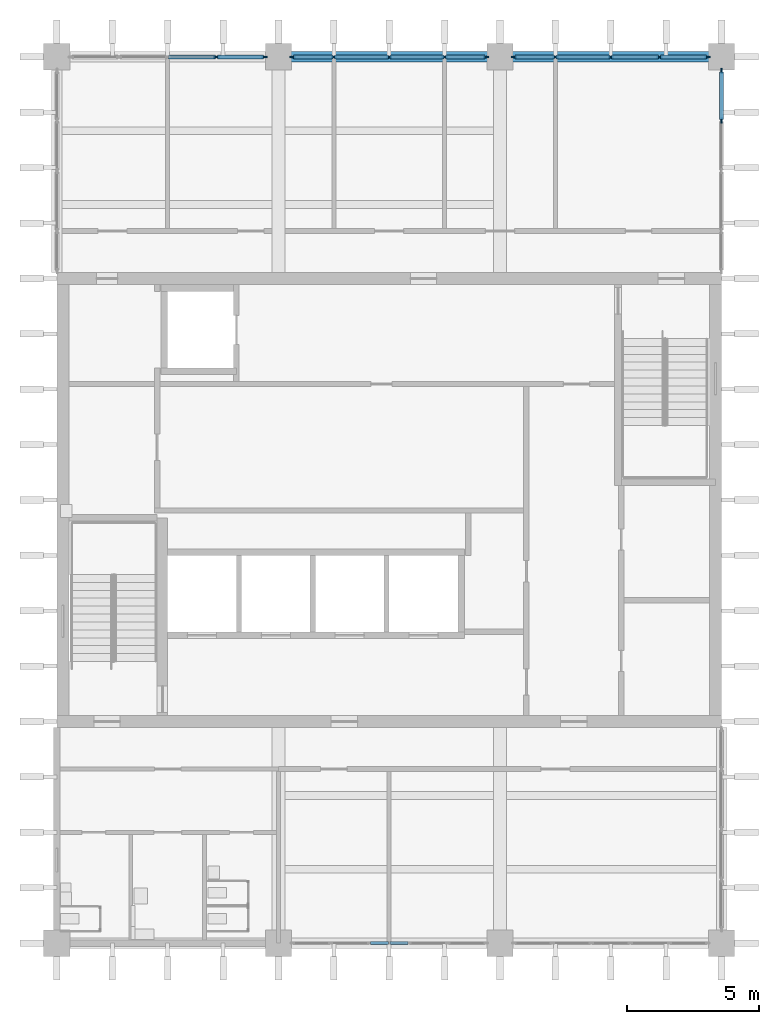
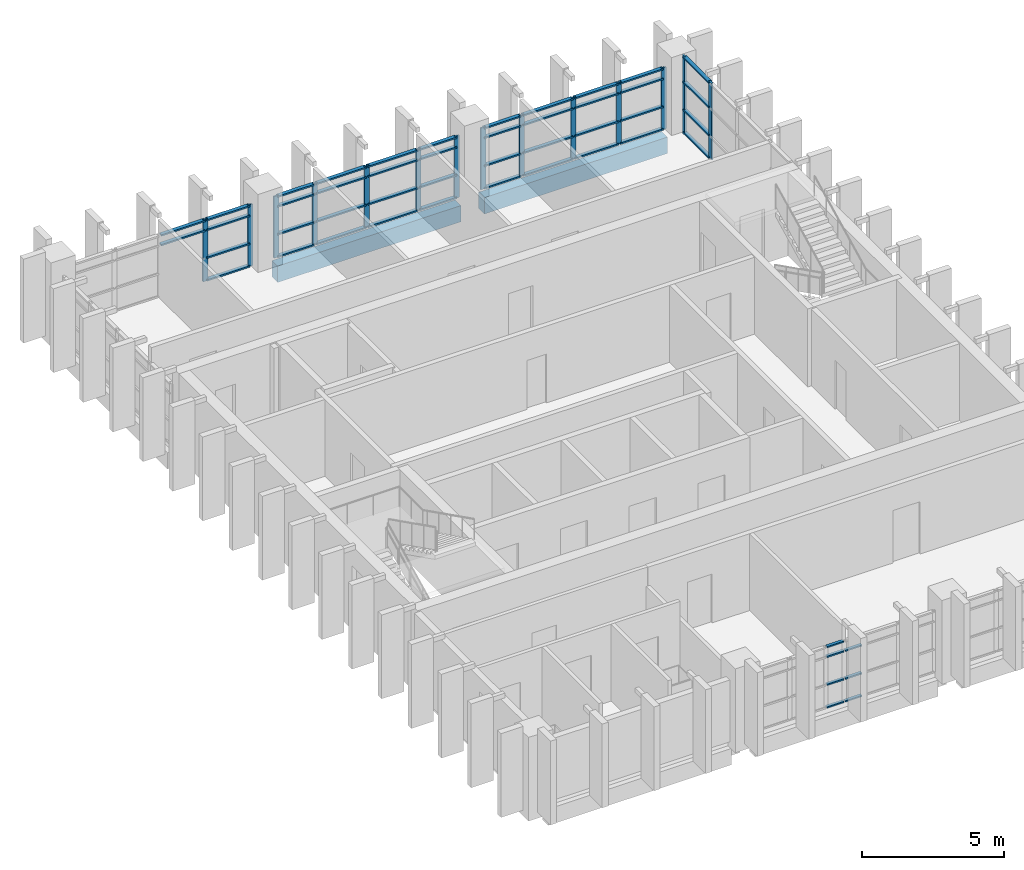
# One storey, part 4 of 11: 63 members, 2 beams, 5 elements without a shape of their own.
"""IFC4 building model written with IfcOpenShell, lengths in metres."""

from ifc_helpers import new_model, si_unit, direction, frame, origin, origin_2d, place, context, subcontext, project, spatial, rectangle, extrude, material, layer, layer_set, material_profile, profile_set, type_object, element, aggregate, save


model = new_model("IFC4")

# Units and contexts
model_context = context("Model", 3, precision=1e-05, world=origin(), true_north=direction((0.0, 1.0)))
body_context = subcontext(model_context, "Body", "Model", "MODEL_VIEW")
ifc_project = project(units=[si_unit("LENGTHUNIT", "METRE"), si_unit("AREAUNIT", "SQUARE_METRE"), si_unit("VOLUMEUNIT", "CUBIC_METRE"), si_unit("PLANEANGLEUNIT", "RADIAN"), si_unit("MASSUNIT", "GRAM", prefix="KILO")], contexts=[model_context])

# Site, building, storey
site_placement = place(None, origin())
site = spatial("IfcSite", under=ifc_project, at=site_placement, CompositionType="ELEMENT")
building_placement = place(site_placement, origin())
building = spatial("IfcBuilding", under=site, at=building_placement, Name="Rulbaag Community and Learning Centre", CompositionType="ELEMENT")
storey_placement = place(building_placement, frame((0.0, 0.0, 21.60009765625)))
storey = spatial("IfcBuildingStorey", under=building, at=storey_placement, Name="L05", CompositionType="ELEMENT", Elevation=21.60009765625)

# Beams
ifc_material_1 = material(Name="Concrete M40", Category="concrete")
ifc_material_profile_1 = material_profile(ifc_material_1, rectangle(XDim=0.39990234375, YDim=0.699951171875, at=origin_2d()), Name="RB400x700")
ifc_profile_set_1 = profile_set([ifc_material_profile_1], Name="Concrete M40")
beam_type = type_object("IfcBeamType", Name="B17 Tower edge beam, lower zone 400x700 Concrete M40", PredefinedType="BEAM", material=ifc_profile_set_1)
beam_1_placement = place(storey_placement, frame((151.679931640625, 117.60009765625, -0.60009765625), z_axis=(1.0, 0.0, 0.0), x_axis=(0.0, 1.0, 0.0)))
element("IfcBeam", 1, at=beam_1_placement, inside=storey, type_object=beam_type, Name="BM-L05-19O-20O", PredefinedType="BEAM", context=body_context, shape_type="SweptSolid", body=[
    extrude(rectangle(XDim=0.39990234375, YDim=0.699951171875, at=origin_2d()), origin(), (0.0, 0.0, 1.0), 7.440185546875),
])
beam_2_placement = place(storey_placement, frame((160.080078125, 117.60009765625, -0.60009765625), z_axis=(1.0, 0.0, 0.0), x_axis=(0.0, 1.0, 0.0)))
element("IfcBeam", 2, at=beam_2_placement, inside=storey, type_object=beam_type, Name="BM-L05-20O-21O", PredefinedType="BEAM", context=body_context, shape_type="SweptSolid", body=[
    extrude(rectangle(XDim=0.39990234375, YDim=0.699951171875, at=origin_2d()), origin(), (0.0, 0.0, 1.0), 7.43994140625),
])

# Curtain wall, members
ifc_material_2 = material(Name="Aluminium", Category="aluminium")
ifc_layer_1 = layer(ifc_material_2, 0.14990234375)
ifc_layer_set_1 = layer_set([ifc_layer_1], Name="CW-S")
curtain_wall_type_1 = type_object("IfcCurtainWallType", Name="CW-S", PredefinedType="USERDEFINED", material=ifc_layer_set_1)
curtain_wall_1_placement = place(storey_placement, origin())
curtain_wall_1 = element("IfcCurtainWall", 3, at=curtain_wall_1_placement, inside=storey, type_object=curtain_wall_type_1, Name="GS-L05-01", ObjectType="UNITISED CURTAIN WALL", PredefinedType="USERDEFINED")
ifc_material_3 = material(Name="Aluminium transom", Category="aluminium")
ifc_material_profile_2 = material_profile(ifc_material_3, rectangle(XDim=0.125, YDim=0.06005859375, at=origin_2d()), Name="AL 60x125 T")
ifc_profile_set_2 = profile_set([ifc_material_profile_2], Name="Aluminium transom")
member_type_1 = type_object("IfcMemberType", Name="CW-S-TRN", PredefinedType="USERDEFINED", material=ifc_profile_set_2)
member_1_placement = place(storey_placement, frame((154.68994140625, 84.0, 0.02978515625), z_axis=(1.0, 0.0, 0.0), x_axis=(0.0, 1.0, 0.0)))
member_1 = element("IfcMember", 4, at=member_1_placement, type_object=member_type_1, Name="GS transom 3.1", ObjectType="TRANSOM", PredefinedType="USERDEFINED", context=body_context, shape_type="SweptSolid", body=[
    extrude(rectangle(XDim=0.125, YDim=0.06005859375, at=origin_2d()), origin(), (0.0, 0.0, 1.0), 0.68017578125),
])
member_2_placement = place(storey_placement, frame((154.68994140625, 84.0, 1.0), z_axis=(1.0, 0.0, 0.0), x_axis=(0.0, 1.0, 0.0)))
member_2 = element("IfcMember", 5, at=member_2_placement, type_object=member_type_1, Name="GS transom 3.2", ObjectType="TRANSOM", PredefinedType="USERDEFINED", context=body_context, shape_type="SweptSolid", body=[
    extrude(rectangle(XDim=0.125, YDim=0.06005859375, at=origin_2d()), origin(), (0.0, 0.0, 1.0), 0.68017578125),
])
member_3_placement = place(storey_placement, frame((154.68994140625, 84.0, 2.199951171875), z_axis=(1.0, 0.0, 0.0), x_axis=(0.0, 1.0, 0.0)))
member_3 = element("IfcMember", 6, at=member_3_placement, type_object=member_type_1, Name="GS transom 3.3", ObjectType="TRANSOM", PredefinedType="USERDEFINED", context=body_context, shape_type="SweptSolid", body=[
    extrude(rectangle(XDim=0.125, YDim=0.06005859375, at=origin_2d()), origin(), (0.0, 0.0, 1.0), 0.68017578125),
])
member_4_placement = place(storey_placement, frame((154.68994140625, 84.0, 2.619873046875), z_axis=(1.0, 0.0, 0.0), x_axis=(0.0, 1.0, 0.0)))
member_4 = element("IfcMember", 7, at=member_4_placement, type_object=member_type_1, Name="GS transom 3.4", ObjectType="TRANSOM", PredefinedType="USERDEFINED", context=body_context, shape_type="SweptSolid", body=[
    extrude(rectangle(XDim=0.125, YDim=0.06005859375, at=origin_2d()), origin(), (0.0, 0.0, 1.0), 0.68017578125),
])
member_5_placement = place(storey_placement, frame((155.429931640625, 84.0, 0.02978515625), z_axis=(1.0, 0.0, 0.0), x_axis=(0.0, 1.0, 0.0)))
member_5 = element("IfcMember", 8, at=member_5_placement, type_object=member_type_1, Name="GS transom 4.1", ObjectType="TRANSOM", PredefinedType="USERDEFINED", context=body_context, shape_type="SweptSolid", body=[
    extrude(rectangle(XDim=0.125, YDim=0.06005859375, at=origin_2d()), origin(), (0.0, 0.0, 1.0), 0.68017578125),
])
member_6_placement = place(storey_placement, frame((155.429931640625, 84.0, 1.0), z_axis=(1.0, 0.0, 0.0), x_axis=(0.0, 1.0, 0.0)))
member_6 = element("IfcMember", 9, at=member_6_placement, type_object=member_type_1, Name="GS transom 4.2", ObjectType="TRANSOM", PredefinedType="USERDEFINED", context=body_context, shape_type="SweptSolid", body=[
    extrude(rectangle(XDim=0.125, YDim=0.06005859375, at=origin_2d()), origin(), (0.0, 0.0, 1.0), 0.68017578125),
])
member_7_placement = place(storey_placement, frame((155.429931640625, 84.0, 2.199951171875), z_axis=(1.0, 0.0, 0.0), x_axis=(0.0, 1.0, 0.0)))
member_7 = element("IfcMember", 10, at=member_7_placement, type_object=member_type_1, Name="GS transom 4.3", ObjectType="TRANSOM", PredefinedType="USERDEFINED", context=body_context, shape_type="SweptSolid", body=[
    extrude(rectangle(XDim=0.125, YDim=0.06005859375, at=origin_2d()), origin(), (0.0, 0.0, 1.0), 0.68017578125),
])
aggregate(curtain_wall_1, [member_1, member_2, member_3, member_4, member_5, member_6, member_7])

ifc_layer_2 = layer(ifc_material_2, 0.14990234375)
ifc_layer_set_2 = layer_set([ifc_layer_2], Name="CW-T")
curtain_wall_type_2 = type_object("IfcCurtainWallType", Name="CW-T", PredefinedType="USERDEFINED", material=ifc_layer_set_2)
curtain_wall_2_placement = place(storey_placement, origin())
curtain_wall_2 = element("IfcCurtainWall", 11, at=curtain_wall_2_placement, inside=storey, type_object=curtain_wall_type_2, Name="GT-L05-01", ObjectType="UNITISED CURTAIN WALL", PredefinedType="USERDEFINED")
ifc_material_4 = material(Name="Aluminium mullion", Category="aluminium")
ifc_material_profile_3 = material_profile(ifc_material_4, rectangle(XDim=0.06494140625, YDim=0.199951171875, at=origin_2d()), Name="AL 65x200")
ifc_profile_set_3 = profile_set([ifc_material_profile_3], Name="Aluminium mullion")
member_type_2 = type_object("IfcMemberType", Name="CW-T-MUL", PredefinedType="MULLION", material=ifc_profile_set_3)
member_8_placement = place(storey_placement, frame((148.85009765625, 117.60009765625, 0.0), z_axis=(0.0, 0.0, 1.0), x_axis=(0.0, 1.0, 0.0)))
member_8 = element("IfcMember", 12, at=member_8_placement, type_object=member_type_2, Name="GT mullion 4", PredefinedType="MULLION", context=body_context, shape_type="SweptSolid", body=[
    extrude(rectangle(XDim=0.06494140625, YDim=0.199951171875, at=origin_2d()), origin(), (0.0, 0.0, 1.0), 2.64990234375),
])
member_9_placement = place(storey_placement, frame((150.66748046875, 117.60009765625, 0.0), z_axis=(0.0, 0.0, 1.0), x_axis=(0.0, 1.0, 0.0)))
member_9 = element("IfcMember", 13, at=member_9_placement, type_object=member_type_2, Name="GT mullion 5", PredefinedType="MULLION", context=body_context, shape_type="SweptSolid", body=[
    extrude(rectangle(XDim=0.06494140625, YDim=0.199951171875, at=origin_2d()), origin(), (0.0, 0.0, 1.0), 2.64990234375),
])

curtain_wall_3_placement = place(storey_placement, origin())
curtain_wall_3 = element("IfcCurtainWall", 14, at=curtain_wall_3_placement, inside=storey, type_object=curtain_wall_type_2, Name="GT-L05-02", ObjectType="UNITISED CURTAIN WALL", PredefinedType="USERDEFINED")
member_10_placement = place(storey_placement, frame((151.732421875, 117.60009765625, 0.0), z_axis=(0.0, 0.0, 1.0), x_axis=(0.0, 1.0, 0.0)))
member_10 = element("IfcMember", 15, at=member_10_placement, type_object=member_type_2, Name="GT mullion 1", PredefinedType="MULLION", context=body_context, shape_type="SweptSolid", body=[
    extrude(rectangle(XDim=0.06494140625, YDim=0.199951171875, at=origin_2d()), origin(), (0.0, 0.0, 1.0), 2.64990234375),
])
member_11_placement = place(storey_placement, frame((153.300048828125, 117.60009765625, 0.0), z_axis=(0.0, 0.0, 1.0), x_axis=(0.0, 1.0, 0.0)))
member_11 = element("IfcMember", 16, at=member_11_placement, type_object=member_type_2, Name="GT mullion 2", PredefinedType="MULLION", context=body_context, shape_type="SweptSolid", body=[
    extrude(rectangle(XDim=0.06494140625, YDim=0.199951171875, at=origin_2d()), origin(), (0.0, 0.0, 1.0), 2.64990234375),
])
member_12_placement = place(storey_placement, frame((155.39990234375, 117.60009765625, 0.0), z_axis=(0.0, 0.0, 1.0), x_axis=(0.0, 1.0, 0.0)))
member_12 = element("IfcMember", 17, at=member_12_placement, type_object=member_type_2, Name="GT mullion 3", PredefinedType="MULLION", context=body_context, shape_type="SweptSolid", body=[
    extrude(rectangle(XDim=0.06494140625, YDim=0.199951171875, at=origin_2d()), origin(), (0.0, 0.0, 1.0), 2.64990234375),
])
member_13_placement = place(storey_placement, frame((157.5, 117.60009765625, 0.0), z_axis=(0.0, 0.0, 1.0), x_axis=(0.0, 1.0, 0.0)))
member_13 = element("IfcMember", 18, at=member_13_placement, type_object=member_type_2, Name="GT mullion 4", PredefinedType="MULLION", context=body_context, shape_type="SweptSolid", body=[
    extrude(rectangle(XDim=0.06494140625, YDim=0.199951171875, at=origin_2d()), origin(), (0.0, 0.0, 1.0), 2.64990234375),
])
member_14_placement = place(storey_placement, frame((159.0673828125, 117.60009765625, 0.0), z_axis=(0.0, 0.0, 1.0), x_axis=(0.0, 1.0, 0.0)))
member_14 = element("IfcMember", 19, at=member_14_placement, type_object=member_type_2, Name="GT mullion 5", PredefinedType="MULLION", context=body_context, shape_type="SweptSolid", body=[
    extrude(rectangle(XDim=0.06494140625, YDim=0.199951171875, at=origin_2d()), origin(), (0.0, 0.0, 1.0), 2.64990234375),
])

curtain_wall_4_placement = place(storey_placement, origin())
curtain_wall_4 = element("IfcCurtainWall", 20, at=curtain_wall_4_placement, inside=storey, type_object=curtain_wall_type_2, Name="GT-L05-03", ObjectType="UNITISED CURTAIN WALL", PredefinedType="USERDEFINED")
member_15_placement = place(storey_placement, frame((160.132568359375, 117.60009765625, 0.0), z_axis=(0.0, 0.0, 1.0), x_axis=(0.0, 1.0, 0.0)))
member_15 = element("IfcMember", 21, at=member_15_placement, type_object=member_type_2, Name="GT mullion 1", PredefinedType="MULLION", context=body_context, shape_type="SweptSolid", body=[
    extrude(rectangle(XDim=0.06494140625, YDim=0.199951171875, at=origin_2d()), origin(), (0.0, 0.0, 1.0), 2.64990234375),
])
member_16_placement = place(storey_placement, frame((161.699951171875, 117.60009765625, 0.0), z_axis=(0.0, 0.0, 1.0), x_axis=(0.0, 1.0, 0.0)))
member_16 = element("IfcMember", 22, at=member_16_placement, type_object=member_type_2, Name="GT mullion 2", PredefinedType="MULLION", context=body_context, shape_type="SweptSolid", body=[
    extrude(rectangle(XDim=0.06494140625, YDim=0.199951171875, at=origin_2d()), origin(), (0.0, 0.0, 1.0), 2.64990234375),
])
member_17_placement = place(storey_placement, frame((163.800048828125, 117.60009765625, 0.0), z_axis=(0.0, 0.0, 1.0), x_axis=(0.0, 1.0, 0.0)))
member_17 = element("IfcMember", 23, at=member_17_placement, type_object=member_type_2, Name="GT mullion 3", PredefinedType="MULLION", context=body_context, shape_type="SweptSolid", body=[
    extrude(rectangle(XDim=0.06494140625, YDim=0.199951171875, at=origin_2d()), origin(), (0.0, 0.0, 1.0), 2.64990234375),
])
member_18_placement = place(storey_placement, frame((165.64990234375, 117.60009765625, 0.0), z_axis=(0.0, 0.0, 1.0), x_axis=(0.0, 1.0, 0.0)))
member_18 = element("IfcMember", 24, at=member_18_placement, type_object=member_type_2, Name="GT mullion 4", PredefinedType="MULLION", context=body_context, shape_type="SweptSolid", body=[
    extrude(rectangle(XDim=0.06494140625, YDim=0.199951171875, at=origin_2d()), origin(), (0.0, 0.0, 1.0), 2.64990234375),
])
member_19_placement = place(storey_placement, frame((167.467529296875, 117.60009765625, 0.0), z_axis=(0.0, 0.0, 1.0), x_axis=(0.0, 1.0, 0.0)))
member_19 = element("IfcMember", 25, at=member_19_placement, type_object=member_type_2, Name="GT mullion 5", PredefinedType="MULLION", context=body_context, shape_type="SweptSolid", body=[
    extrude(rectangle(XDim=0.06494140625, YDim=0.199951171875, at=origin_2d()), origin(), (0.0, 0.0, 1.0), 2.64990234375),
])

curtain_wall_5_placement = place(storey_placement, origin())
curtain_wall_5 = element("IfcCurtainWall", 26, at=curtain_wall_5_placement, inside=storey, type_object=curtain_wall_type_2, Name="GT-L05-06", ObjectType="UNITISED CURTAIN WALL", PredefinedType="USERDEFINED")
member_20_placement = place(storey_placement, frame((168.0, 115.1875, 0.0), z_axis=(0.0, 0.0, 1.0), x_axis=(-1.0, 0.0, 0.0)))
member_20 = element("IfcMember", 27, at=member_20_placement, type_object=member_type_2, Name="GT mullion 4", PredefinedType="MULLION", context=body_context, shape_type="SweptSolid", body=[
    extrude(rectangle(XDim=0.06494140625, YDim=0.199951171875, at=origin_2d()), origin(), (0.0, 0.0, 1.0), 3.2998046875),
])
member_21_placement = place(storey_placement, frame((168.0, 117.0673828125, 0.0), z_axis=(0.0, 0.0, 1.0), x_axis=(-1.0, 0.0, 0.0)))
member_21 = element("IfcMember", 28, at=member_21_placement, type_object=member_type_2, Name="GT mullion 5", PredefinedType="MULLION", context=body_context, shape_type="SweptSolid", body=[
    extrude(rectangle(XDim=0.06494140625, YDim=0.199951171875, at=origin_2d()), origin(), (0.0, 0.0, 1.0), 3.2998046875),
])

# Member
ifc_material_profile_4 = material_profile(ifc_material_3, rectangle(XDim=0.14990234375, YDim=0.06494140625, at=origin_2d()), Name="AL 65x150 T")
ifc_profile_set_4 = profile_set([ifc_material_profile_4], Name="Aluminium transom")
member_type_3 = type_object("IfcMemberType", Name="CW-T-TRN", PredefinedType="USERDEFINED", material=ifc_profile_set_4)
member_22_placement = place(storey_placement, frame((147.032470703125, 117.60009765625, 2.199951171875), z_axis=(1.0, 0.0, 0.0), x_axis=(0.0, 1.0, 0.0)))
member_22 = element("IfcMember", 29, at=member_22_placement, type_object=member_type_3, Name="GT transom 3.3", ObjectType="TRANSOM", PredefinedType="USERDEFINED", context=body_context, shape_type="SweptSolid", body=[
    extrude(rectangle(XDim=0.14990234375, YDim=0.06494140625, at=origin_2d()), origin(), (0.0, 0.0, 1.0), 1.784912109375),
])

member_23_placement = place(storey_placement, frame((147.032470703125, 117.60009765625, 2.617431640625), z_axis=(1.0, 0.0, 0.0), x_axis=(0.0, 1.0, 0.0)))
member_23 = element("IfcMember", 30, at=member_23_placement, type_object=member_type_3, Name="GT transom 3.4", ObjectType="TRANSOM", PredefinedType="USERDEFINED", context=body_context, shape_type="SweptSolid", body=[
    extrude(rectangle(XDim=0.14990234375, YDim=0.06494140625, at=origin_2d()), origin(), (0.0, 0.0, 1.0), 1.784912109375),
])

member_24_placement = place(storey_placement, frame((148.882568359375, 117.60009765625, 0.032470703125), z_axis=(1.0, 0.0, 0.0), x_axis=(0.0, 1.0, 0.0)))
member_24 = element("IfcMember", 31, at=member_24_placement, type_object=member_type_3, Name="GT transom 4.1", ObjectType="TRANSOM", PredefinedType="USERDEFINED", context=body_context, shape_type="SweptSolid", body=[
    extrude(rectangle(XDim=0.14990234375, YDim=0.06494140625, at=origin_2d()), origin(), (0.0, 0.0, 1.0), 1.75244140625),
])

member_25_placement = place(storey_placement, frame((148.882568359375, 117.60009765625, 1.0), z_axis=(1.0, 0.0, 0.0), x_axis=(0.0, 1.0, 0.0)))
member_25 = element("IfcMember", 32, at=member_25_placement, type_object=member_type_3, Name="GT transom 4.2", ObjectType="TRANSOM", PredefinedType="USERDEFINED", context=body_context, shape_type="SweptSolid", body=[
    extrude(rectangle(XDim=0.14990234375, YDim=0.06494140625, at=origin_2d()), origin(), (0.0, 0.0, 1.0), 1.75244140625),
])

member_26_placement = place(storey_placement, frame((148.882568359375, 117.60009765625, 2.199951171875), z_axis=(1.0, 0.0, 0.0), x_axis=(0.0, 1.0, 0.0)))
member_26 = element("IfcMember", 33, at=member_26_placement, type_object=member_type_3, Name="GT transom 4.3", ObjectType="TRANSOM", PredefinedType="USERDEFINED", context=body_context, shape_type="SweptSolid", body=[
    extrude(rectangle(XDim=0.14990234375, YDim=0.06494140625, at=origin_2d()), origin(), (0.0, 0.0, 1.0), 1.75244140625),
])

member_27_placement = place(storey_placement, frame((148.882568359375, 117.60009765625, 2.617431640625), z_axis=(1.0, 0.0, 0.0), x_axis=(0.0, 1.0, 0.0)))
member_27 = element("IfcMember", 34, at=member_27_placement, type_object=member_type_3, Name="GT transom 4.4", ObjectType="TRANSOM", PredefinedType="USERDEFINED", context=body_context, shape_type="SweptSolid", body=[
    extrude(rectangle(XDim=0.14990234375, YDim=0.06494140625, at=origin_2d()), origin(), (0.0, 0.0, 1.0), 1.75244140625),
])

aggregate(curtain_wall_2, [member_8, member_9, member_22, member_23, member_24, member_25, member_26, member_27])

member_28_placement = place(storey_placement, frame((151.764892578125, 117.60009765625, 0.032470703125), z_axis=(1.0, 0.0, 0.0), x_axis=(0.0, 1.0, 0.0)))
member_28 = element("IfcMember", 35, at=member_28_placement, type_object=member_type_3, Name="GT transom 1.1", ObjectType="TRANSOM", PredefinedType="USERDEFINED", context=body_context, shape_type="SweptSolid", body=[
    extrude(rectangle(XDim=0.14990234375, YDim=0.06494140625, at=origin_2d()), origin(), (0.0, 0.0, 1.0), 1.502685546875),
])

member_29_placement = place(storey_placement, frame((151.764892578125, 117.60009765625, 1.0), z_axis=(1.0, 0.0, 0.0), x_axis=(0.0, 1.0, 0.0)))
member_29 = element("IfcMember", 36, at=member_29_placement, type_object=member_type_3, Name="GT transom 1.2", ObjectType="TRANSOM", PredefinedType="USERDEFINED", context=body_context, shape_type="SweptSolid", body=[
    extrude(rectangle(XDim=0.14990234375, YDim=0.06494140625, at=origin_2d()), origin(), (0.0, 0.0, 1.0), 1.502685546875),
])

member_30_placement = place(storey_placement, frame((151.764892578125, 117.60009765625, 2.199951171875), z_axis=(1.0, 0.0, 0.0), x_axis=(0.0, 1.0, 0.0)))
member_30 = element("IfcMember", 37, at=member_30_placement, type_object=member_type_3, Name="GT transom 1.3", ObjectType="TRANSOM", PredefinedType="USERDEFINED", context=body_context, shape_type="SweptSolid", body=[
    extrude(rectangle(XDim=0.14990234375, YDim=0.06494140625, at=origin_2d()), origin(), (0.0, 0.0, 1.0), 1.502685546875),
])

member_31_placement = place(storey_placement, frame((151.764892578125, 117.60009765625, 2.617431640625), z_axis=(1.0, 0.0, 0.0), x_axis=(0.0, 1.0, 0.0)))
member_31 = element("IfcMember", 38, at=member_31_placement, type_object=member_type_3, Name="GT transom 1.4", ObjectType="TRANSOM", PredefinedType="USERDEFINED", context=body_context, shape_type="SweptSolid", body=[
    extrude(rectangle(XDim=0.14990234375, YDim=0.06494140625, at=origin_2d()), origin(), (0.0, 0.0, 1.0), 1.502685546875),
])

member_32_placement = place(storey_placement, frame((153.33251953125, 117.60009765625, 0.032470703125), z_axis=(1.0, 0.0, 0.0), x_axis=(0.0, 1.0, 0.0)))
member_32 = element("IfcMember", 39, at=member_32_placement, type_object=member_type_3, Name="GT transom 2.1", ObjectType="TRANSOM", PredefinedType="USERDEFINED", context=body_context, shape_type="SweptSolid", body=[
    extrude(rectangle(XDim=0.14990234375, YDim=0.06494140625, at=origin_2d()), origin(), (0.0, 0.0, 1.0), 2.034912109375),
])

member_33_placement = place(storey_placement, frame((153.33251953125, 117.60009765625, 1.0), z_axis=(1.0, 0.0, 0.0), x_axis=(0.0, 1.0, 0.0)))
member_33 = element("IfcMember", 40, at=member_33_placement, type_object=member_type_3, Name="GT transom 2.2", ObjectType="TRANSOM", PredefinedType="USERDEFINED", context=body_context, shape_type="SweptSolid", body=[
    extrude(rectangle(XDim=0.14990234375, YDim=0.06494140625, at=origin_2d()), origin(), (0.0, 0.0, 1.0), 2.034912109375),
])

member_34_placement = place(storey_placement, frame((153.33251953125, 117.60009765625, 2.199951171875), z_axis=(1.0, 0.0, 0.0), x_axis=(0.0, 1.0, 0.0)))
member_34 = element("IfcMember", 41, at=member_34_placement, type_object=member_type_3, Name="GT transom 2.3", ObjectType="TRANSOM", PredefinedType="USERDEFINED", context=body_context, shape_type="SweptSolid", body=[
    extrude(rectangle(XDim=0.14990234375, YDim=0.06494140625, at=origin_2d()), origin(), (0.0, 0.0, 1.0), 2.034912109375),
])

member_35_placement = place(storey_placement, frame((153.33251953125, 117.60009765625, 2.617431640625), z_axis=(1.0, 0.0, 0.0), x_axis=(0.0, 1.0, 0.0)))
member_35 = element("IfcMember", 42, at=member_35_placement, type_object=member_type_3, Name="GT transom 2.4", ObjectType="TRANSOM", PredefinedType="USERDEFINED", context=body_context, shape_type="SweptSolid", body=[
    extrude(rectangle(XDim=0.14990234375, YDim=0.06494140625, at=origin_2d()), origin(), (0.0, 0.0, 1.0), 2.034912109375),
])

member_36_placement = place(storey_placement, frame((155.4326171875, 117.60009765625, 0.032470703125), z_axis=(1.0, 0.0, 0.0), x_axis=(0.0, 1.0, 0.0)))
member_36 = element("IfcMember", 43, at=member_36_placement, type_object=member_type_3, Name="GT transom 3.1", ObjectType="TRANSOM", PredefinedType="USERDEFINED", context=body_context, shape_type="SweptSolid", body=[
    extrude(rectangle(XDim=0.14990234375, YDim=0.06494140625, at=origin_2d()), origin(), (0.0, 0.0, 1.0), 2.034912109375),
])

member_37_placement = place(storey_placement, frame((155.4326171875, 117.60009765625, 1.0), z_axis=(1.0, 0.0, 0.0), x_axis=(0.0, 1.0, 0.0)))
member_37 = element("IfcMember", 44, at=member_37_placement, type_object=member_type_3, Name="GT transom 3.2", ObjectType="TRANSOM", PredefinedType="USERDEFINED", context=body_context, shape_type="SweptSolid", body=[
    extrude(rectangle(XDim=0.14990234375, YDim=0.06494140625, at=origin_2d()), origin(), (0.0, 0.0, 1.0), 2.034912109375),
])

member_38_placement = place(storey_placement, frame((155.4326171875, 117.60009765625, 2.199951171875), z_axis=(1.0, 0.0, 0.0), x_axis=(0.0, 1.0, 0.0)))
member_38 = element("IfcMember", 45, at=member_38_placement, type_object=member_type_3, Name="GT transom 3.3", ObjectType="TRANSOM", PredefinedType="USERDEFINED", context=body_context, shape_type="SweptSolid", body=[
    extrude(rectangle(XDim=0.14990234375, YDim=0.06494140625, at=origin_2d()), origin(), (0.0, 0.0, 1.0), 2.034912109375),
])

member_39_placement = place(storey_placement, frame((155.4326171875, 117.60009765625, 2.617431640625), z_axis=(1.0, 0.0, 0.0), x_axis=(0.0, 1.0, 0.0)))
member_39 = element("IfcMember", 46, at=member_39_placement, type_object=member_type_3, Name="GT transom 3.4", ObjectType="TRANSOM", PredefinedType="USERDEFINED", context=body_context, shape_type="SweptSolid", body=[
    extrude(rectangle(XDim=0.14990234375, YDim=0.06494140625, at=origin_2d()), origin(), (0.0, 0.0, 1.0), 2.034912109375),
])

member_40_placement = place(storey_placement, frame((157.532470703125, 117.60009765625, 0.032470703125), z_axis=(1.0, 0.0, 0.0), x_axis=(0.0, 1.0, 0.0)))
member_40 = element("IfcMember", 47, at=member_40_placement, type_object=member_type_3, Name="GT transom 4.1", ObjectType="TRANSOM", PredefinedType="USERDEFINED", context=body_context, shape_type="SweptSolid", body=[
    extrude(rectangle(XDim=0.14990234375, YDim=0.06494140625, at=origin_2d()), origin(), (0.0, 0.0, 1.0), 1.50244140625),
])

member_41_placement = place(storey_placement, frame((157.532470703125, 117.60009765625, 1.0), z_axis=(1.0, 0.0, 0.0), x_axis=(0.0, 1.0, 0.0)))
member_41 = element("IfcMember", 48, at=member_41_placement, type_object=member_type_3, Name="GT transom 4.2", ObjectType="TRANSOM", PredefinedType="USERDEFINED", context=body_context, shape_type="SweptSolid", body=[
    extrude(rectangle(XDim=0.14990234375, YDim=0.06494140625, at=origin_2d()), origin(), (0.0, 0.0, 1.0), 1.50244140625),
])

member_42_placement = place(storey_placement, frame((157.532470703125, 117.60009765625, 2.199951171875), z_axis=(1.0, 0.0, 0.0), x_axis=(0.0, 1.0, 0.0)))
member_42 = element("IfcMember", 49, at=member_42_placement, type_object=member_type_3, Name="GT transom 4.3", ObjectType="TRANSOM", PredefinedType="USERDEFINED", context=body_context, shape_type="SweptSolid", body=[
    extrude(rectangle(XDim=0.14990234375, YDim=0.06494140625, at=origin_2d()), origin(), (0.0, 0.0, 1.0), 1.50244140625),
])

member_43_placement = place(storey_placement, frame((157.532470703125, 117.60009765625, 2.617431640625), z_axis=(1.0, 0.0, 0.0), x_axis=(0.0, 1.0, 0.0)))
member_43 = element("IfcMember", 50, at=member_43_placement, type_object=member_type_3, Name="GT transom 4.4", ObjectType="TRANSOM", PredefinedType="USERDEFINED", context=body_context, shape_type="SweptSolid", body=[
    extrude(rectangle(XDim=0.14990234375, YDim=0.06494140625, at=origin_2d()), origin(), (0.0, 0.0, 1.0), 1.50244140625),
])

aggregate(curtain_wall_3, [member_10, member_11, member_12, member_13, member_14, member_28, member_29, member_30, member_31, member_32, member_33, member_34, member_35, member_36, member_37, member_38, member_39, member_40, member_41, member_42, member_43])

member_44_placement = place(storey_placement, frame((160.1650390625, 117.60009765625, 0.032470703125), z_axis=(1.0, 0.0, 0.0), x_axis=(0.0, 1.0, 0.0)))
member_44 = element("IfcMember", 51, at=member_44_placement, type_object=member_type_3, Name="GT transom 1.1", ObjectType="TRANSOM", PredefinedType="USERDEFINED", context=body_context, shape_type="SweptSolid", body=[
    extrude(rectangle(XDim=0.14990234375, YDim=0.06494140625, at=origin_2d()), origin(), (0.0, 0.0, 1.0), 1.50244140625),
])

member_45_placement = place(storey_placement, frame((160.1650390625, 117.60009765625, 1.0), z_axis=(1.0, 0.0, 0.0), x_axis=(0.0, 1.0, 0.0)))
member_45 = element("IfcMember", 52, at=member_45_placement, type_object=member_type_3, Name="GT transom 1.2", ObjectType="TRANSOM", PredefinedType="USERDEFINED", context=body_context, shape_type="SweptSolid", body=[
    extrude(rectangle(XDim=0.14990234375, YDim=0.06494140625, at=origin_2d()), origin(), (0.0, 0.0, 1.0), 1.50244140625),
])

member_46_placement = place(storey_placement, frame((160.1650390625, 117.60009765625, 2.199951171875), z_axis=(1.0, 0.0, 0.0), x_axis=(0.0, 1.0, 0.0)))
member_46 = element("IfcMember", 53, at=member_46_placement, type_object=member_type_3, Name="GT transom 1.3", ObjectType="TRANSOM", PredefinedType="USERDEFINED", context=body_context, shape_type="SweptSolid", body=[
    extrude(rectangle(XDim=0.14990234375, YDim=0.06494140625, at=origin_2d()), origin(), (0.0, 0.0, 1.0), 1.50244140625),
])

member_47_placement = place(storey_placement, frame((160.1650390625, 117.60009765625, 2.617431640625), z_axis=(1.0, 0.0, 0.0), x_axis=(0.0, 1.0, 0.0)))
member_47 = element("IfcMember", 54, at=member_47_placement, type_object=member_type_3, Name="GT transom 1.4", ObjectType="TRANSOM", PredefinedType="USERDEFINED", context=body_context, shape_type="SweptSolid", body=[
    extrude(rectangle(XDim=0.14990234375, YDim=0.06494140625, at=origin_2d()), origin(), (0.0, 0.0, 1.0), 1.50244140625),
])

member_48_placement = place(storey_placement, frame((161.732421875, 117.60009765625, 0.032470703125), z_axis=(1.0, 0.0, 0.0), x_axis=(0.0, 1.0, 0.0)))
member_48 = element("IfcMember", 55, at=member_48_placement, type_object=member_type_3, Name="GT transom 2.1", ObjectType="TRANSOM", PredefinedType="USERDEFINED", context=body_context, shape_type="SweptSolid", body=[
    extrude(rectangle(XDim=0.14990234375, YDim=0.06494140625, at=origin_2d()), origin(), (0.0, 0.0, 1.0), 2.03515625),
])

member_49_placement = place(storey_placement, frame((161.732421875, 117.60009765625, 1.0), z_axis=(1.0, 0.0, 0.0), x_axis=(0.0, 1.0, 0.0)))
member_49 = element("IfcMember", 56, at=member_49_placement, type_object=member_type_3, Name="GT transom 2.2", ObjectType="TRANSOM", PredefinedType="USERDEFINED", context=body_context, shape_type="SweptSolid", body=[
    extrude(rectangle(XDim=0.14990234375, YDim=0.06494140625, at=origin_2d()), origin(), (0.0, 0.0, 1.0), 2.03515625),
])

member_50_placement = place(storey_placement, frame((161.732421875, 117.60009765625, 2.199951171875), z_axis=(1.0, 0.0, 0.0), x_axis=(0.0, 1.0, 0.0)))
member_50 = element("IfcMember", 57, at=member_50_placement, type_object=member_type_3, Name="GT transom 2.3", ObjectType="TRANSOM", PredefinedType="USERDEFINED", context=body_context, shape_type="SweptSolid", body=[
    extrude(rectangle(XDim=0.14990234375, YDim=0.06494140625, at=origin_2d()), origin(), (0.0, 0.0, 1.0), 2.03515625),
])

member_51_placement = place(storey_placement, frame((161.732421875, 117.60009765625, 2.617431640625), z_axis=(1.0, 0.0, 0.0), x_axis=(0.0, 1.0, 0.0)))
member_51 = element("IfcMember", 58, at=member_51_placement, type_object=member_type_3, Name="GT transom 2.4", ObjectType="TRANSOM", PredefinedType="USERDEFINED", context=body_context, shape_type="SweptSolid", body=[
    extrude(rectangle(XDim=0.14990234375, YDim=0.06494140625, at=origin_2d()), origin(), (0.0, 0.0, 1.0), 2.03515625),
])

member_52_placement = place(storey_placement, frame((163.83251953125, 117.60009765625, 0.032470703125), z_axis=(1.0, 0.0, 0.0), x_axis=(0.0, 1.0, 0.0)))
member_52 = element("IfcMember", 59, at=member_52_placement, type_object=member_type_3, Name="GT transom 3.1", ObjectType="TRANSOM", PredefinedType="USERDEFINED", context=body_context, shape_type="SweptSolid", body=[
    extrude(rectangle(XDim=0.14990234375, YDim=0.06494140625, at=origin_2d()), origin(), (0.0, 0.0, 1.0), 1.784912109375),
])

member_53_placement = place(storey_placement, frame((163.83251953125, 117.60009765625, 1.0), z_axis=(1.0, 0.0, 0.0), x_axis=(0.0, 1.0, 0.0)))
member_53 = element("IfcMember", 60, at=member_53_placement, type_object=member_type_3, Name="GT transom 3.2", ObjectType="TRANSOM", PredefinedType="USERDEFINED", context=body_context, shape_type="SweptSolid", body=[
    extrude(rectangle(XDim=0.14990234375, YDim=0.06494140625, at=origin_2d()), origin(), (0.0, 0.0, 1.0), 1.784912109375),
])

member_54_placement = place(storey_placement, frame((163.83251953125, 117.60009765625, 2.199951171875), z_axis=(1.0, 0.0, 0.0), x_axis=(0.0, 1.0, 0.0)))
member_54 = element("IfcMember", 61, at=member_54_placement, type_object=member_type_3, Name="GT transom 3.3", ObjectType="TRANSOM", PredefinedType="USERDEFINED", context=body_context, shape_type="SweptSolid", body=[
    extrude(rectangle(XDim=0.14990234375, YDim=0.06494140625, at=origin_2d()), origin(), (0.0, 0.0, 1.0), 1.784912109375),
])

member_55_placement = place(storey_placement, frame((163.83251953125, 117.60009765625, 2.617431640625), z_axis=(1.0, 0.0, 0.0), x_axis=(0.0, 1.0, 0.0)))
member_55 = element("IfcMember", 62, at=member_55_placement, type_object=member_type_3, Name="GT transom 3.4", ObjectType="TRANSOM", PredefinedType="USERDEFINED", context=body_context, shape_type="SweptSolid", body=[
    extrude(rectangle(XDim=0.14990234375, YDim=0.06494140625, at=origin_2d()), origin(), (0.0, 0.0, 1.0), 1.784912109375),
])

member_56_placement = place(storey_placement, frame((165.6826171875, 117.60009765625, 0.032470703125), z_axis=(1.0, 0.0, 0.0), x_axis=(0.0, 1.0, 0.0)))
member_56 = element("IfcMember", 63, at=member_56_placement, type_object=member_type_3, Name="GT transom 4.1", ObjectType="TRANSOM", PredefinedType="USERDEFINED", context=body_context, shape_type="SweptSolid", body=[
    extrude(rectangle(XDim=0.14990234375, YDim=0.06494140625, at=origin_2d()), origin(), (0.0, 0.0, 1.0), 1.75244140625),
])

member_57_placement = place(storey_placement, frame((165.6826171875, 117.60009765625, 1.0), z_axis=(1.0, 0.0, 0.0), x_axis=(0.0, 1.0, 0.0)))
member_57 = element("IfcMember", 64, at=member_57_placement, type_object=member_type_3, Name="GT transom 4.2", ObjectType="TRANSOM", PredefinedType="USERDEFINED", context=body_context, shape_type="SweptSolid", body=[
    extrude(rectangle(XDim=0.14990234375, YDim=0.06494140625, at=origin_2d()), origin(), (0.0, 0.0, 1.0), 1.75244140625),
])

member_58_placement = place(storey_placement, frame((165.6826171875, 117.60009765625, 2.199951171875), z_axis=(1.0, 0.0, 0.0), x_axis=(0.0, 1.0, 0.0)))
member_58 = element("IfcMember", 65, at=member_58_placement, type_object=member_type_3, Name="GT transom 4.3", ObjectType="TRANSOM", PredefinedType="USERDEFINED", context=body_context, shape_type="SweptSolid", body=[
    extrude(rectangle(XDim=0.14990234375, YDim=0.06494140625, at=origin_2d()), origin(), (0.0, 0.0, 1.0), 1.75244140625),
])

member_59_placement = place(storey_placement, frame((165.6826171875, 117.60009765625, 2.617431640625), z_axis=(1.0, 0.0, 0.0), x_axis=(0.0, 1.0, 0.0)))
member_59 = element("IfcMember", 66, at=member_59_placement, type_object=member_type_3, Name="GT transom 4.4", ObjectType="TRANSOM", PredefinedType="USERDEFINED", context=body_context, shape_type="SweptSolid", body=[
    extrude(rectangle(XDim=0.14990234375, YDim=0.06494140625, at=origin_2d()), origin(), (0.0, 0.0, 1.0), 1.75244140625),
])

aggregate(curtain_wall_4, [member_15, member_16, member_17, member_18, member_19, member_44, member_45, member_46, member_47, member_48, member_49, member_50, member_51, member_52, member_53, member_54, member_55, member_56, member_57, member_58, member_59])

member_60_placement = place(storey_placement, frame((168.0, 115.219970703125, 0.032470703125), z_axis=(0.0, 1.0, 0.0), x_axis=(-1.0, 0.0, 0.0)))
member_60 = element("IfcMember", 67, at=member_60_placement, type_object=member_type_3, Name="GT transom 4.1", ObjectType="TRANSOM", PredefinedType="USERDEFINED", context=body_context, shape_type="SweptSolid", body=[
    extrude(rectangle(XDim=0.14990234375, YDim=0.06494140625, at=origin_2d()), origin(), (0.0, 0.0, 1.0), 1.81494140625),
])

member_61_placement = place(storey_placement, frame((168.0, 115.219970703125, 1.0), z_axis=(0.0, 1.0, 0.0), x_axis=(-1.0, 0.0, 0.0)))
member_61 = element("IfcMember", 68, at=member_61_placement, type_object=member_type_3, Name="GT transom 4.2", ObjectType="TRANSOM", PredefinedType="USERDEFINED", context=body_context, shape_type="SweptSolid", body=[
    extrude(rectangle(XDim=0.14990234375, YDim=0.06494140625, at=origin_2d()), origin(), (0.0, 0.0, 1.0), 1.81494140625),
])

member_62_placement = place(storey_placement, frame((168.0, 115.219970703125, 2.199951171875), z_axis=(0.0, 1.0, 0.0), x_axis=(-1.0, 0.0, 0.0)))
member_62 = element("IfcMember", 69, at=member_62_placement, type_object=member_type_3, Name="GT transom 4.3", ObjectType="TRANSOM", PredefinedType="USERDEFINED", context=body_context, shape_type="SweptSolid", body=[
    extrude(rectangle(XDim=0.14990234375, YDim=0.06494140625, at=origin_2d()), origin(), (0.0, 0.0, 1.0), 1.81494140625),
])

member_63_placement = place(storey_placement, frame((168.0, 115.219970703125, 3.267333984375), z_axis=(0.0, 1.0, 0.0), x_axis=(-1.0, 0.0, 0.0)))
member_63 = element("IfcMember", 70, at=member_63_placement, type_object=member_type_3, Name="GT transom 4.4", ObjectType="TRANSOM", PredefinedType="USERDEFINED", context=body_context, shape_type="SweptSolid", body=[
    extrude(rectangle(XDim=0.14990234375, YDim=0.06494140625, at=origin_2d()), origin(), (0.0, 0.0, 1.0), 1.81494140625),
])

aggregate(curtain_wall_5, [member_20, member_21, member_60, member_61, member_62, member_63])

save(model, "model.ifc")
